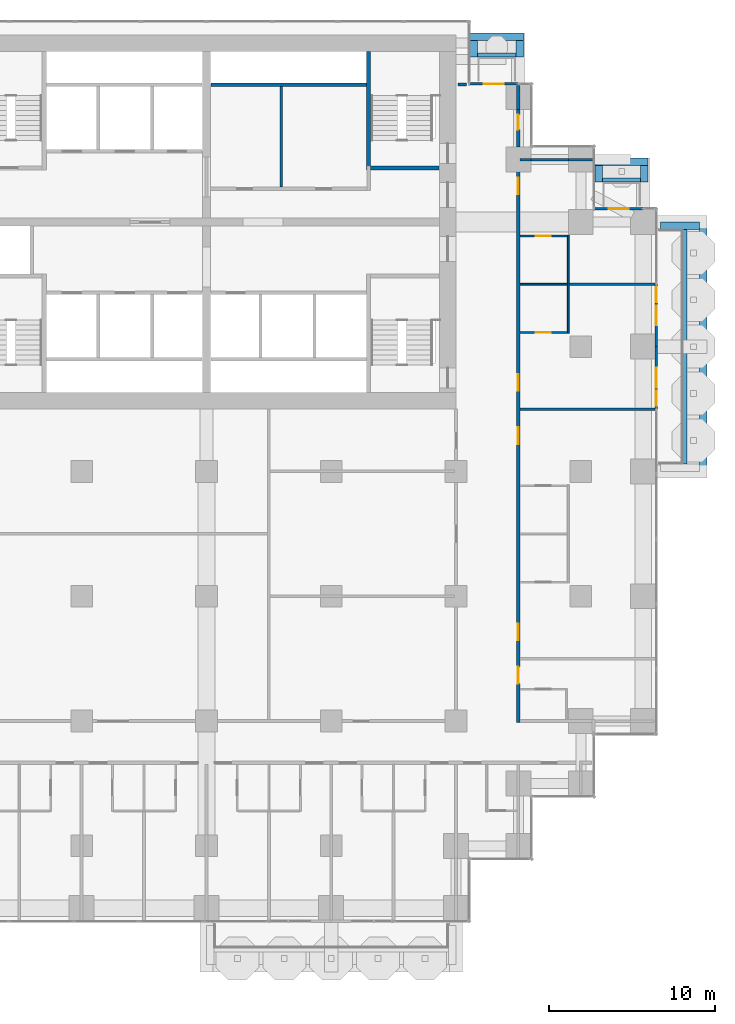
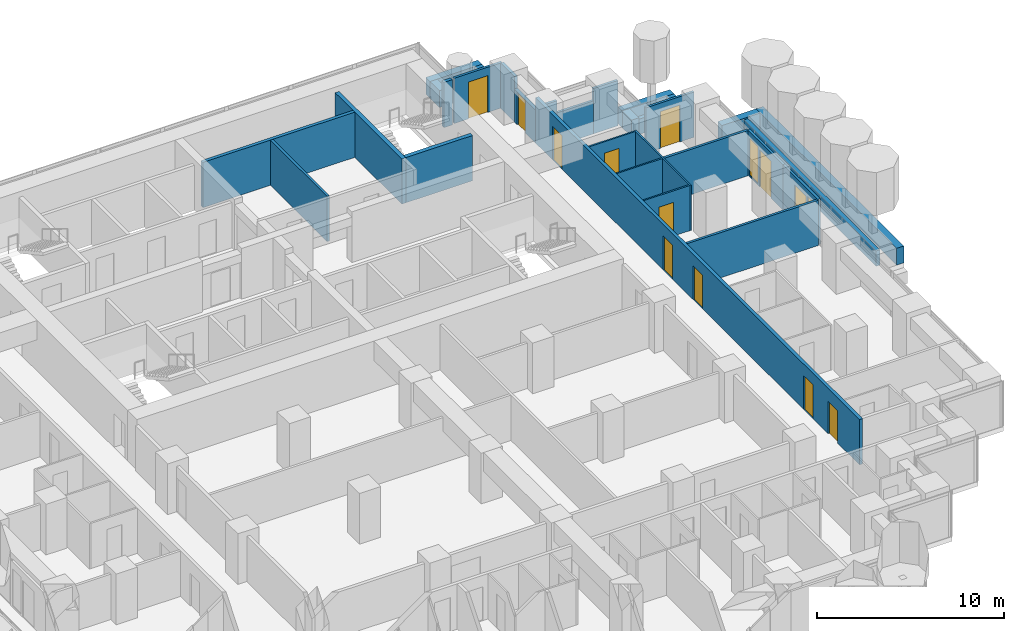
# One storey, part 16 of 20: 32 walls, 12 doors, 2 windows, 14 openings.
"""IFC4 building model written with IfcOpenShell, lengths in metres."""

from ifc_helpers import new_model, si_unit, direction, frame, frame_2d, origin, place, context, subcontext, project, spatial, rectangle, extrude, material, layer, layer_set, type_object, element, fill, save


model = new_model("IFC4")

# Units and contexts
model_context = context("Model", 3, precision=1e-05, world=origin(), true_north=direction((0.0, 1.0)))
body_context = subcontext(model_context, "Body", "Model", "MODEL_VIEW")
ifc_project = project(units=[si_unit("LENGTHUNIT", "METRE"), si_unit("AREAUNIT", "SQUARE_METRE"), si_unit("VOLUMEUNIT", "CUBIC_METRE"), si_unit("PLANEANGLEUNIT", "RADIAN"), si_unit("MASSUNIT", "GRAM", prefix="KILO")], contexts=[model_context])

# Site, building, storey
site_placement = place(None, origin())
site = spatial("IfcSite", under=ifc_project, at=site_placement, CompositionType="ELEMENT")
building_placement = place(site_placement, origin())
building = spatial("IfcBuilding", under=site, at=building_placement, Name="Pilkhan Gate Tower", CompositionType="ELEMENT")
storey_placement = place(building_placement, frame((0.0, 0.0, 98.89990234375)))
storey = spatial("IfcBuildingStorey", under=building, at=storey_placement, Name="L24", CompositionType="ELEMENT", Elevation=98.89990234375)

# Walls
ifc_material_1 = material(Name="Concrete C40/50", Category="concrete")
ifc_layer_1 = layer(ifc_material_1, 0.25)
ifc_layer_set_1 = layer_set([ifc_layer_1], Name="Balcony planter BP250")
wall_type_1 = type_object("IfcWallType", Name="Balcony planter BP250", PredefinedType="USERDEFINED", material=ifc_layer_set_1)
wall_1_placement = place(storey_placement, frame((103.77490234375, 67.949951171875, 0.0), z_axis=(0.0, 0.0, 1.0), x_axis=(0.0, 1.0, 0.0)))
element("IfcWall", 1, at=wall_1_placement, inside=storey, type_object=wall_type_1, Name="Balcony planter L24 E", ObjectType="BALCONY PLANTER", PredefinedType="USERDEFINED", context=body_context, shape_type="SweptSolid", body=[
    extrude(rectangle(XDim=14.10009765625, YDim=0.25, at=frame_2d((7.050048828125, 0.0))), origin(), (0.0, 0.0, 1.0), 1.0),
])
wall_2_placement = place(storey_placement, frame((91.300048828125, 92.52490234375, 0.0), z_axis=(0.0, 0.0, 1.0), x_axis=(1.0, 0.0, 0.0)))
element("IfcWall", 2, at=wall_2_placement, inside=storey, type_object=wall_type_1, Name="Balcony planter L24 N", ObjectType="BALCONY PLANTER", PredefinedType="USERDEFINED", context=body_context, shape_type="SweptSolid", body=[
    extrude(rectangle(XDim=2.300048828125, YDim=0.25, at=frame_2d((1.14990234375, 0.0))), origin(), (0.0, 0.0, 1.0), 1.0),
])
wall_3_placement = place(storey_placement, frame((98.820068359375, 85.02490234375, 0.0), z_axis=(0.0, 0.0, 1.0), x_axis=(1.0, 0.0, 0.0)))
element("IfcWall", 3, at=wall_3_placement, inside=storey, type_object=wall_type_1, Name="Balcony planter L24 N", ObjectType="BALCONY PLANTER", PredefinedType="USERDEFINED", context=body_context, shape_type="SweptSolid", body=[
    extrude(rectangle(XDim=2.280029296875, YDim=0.25, at=frame_2d((1.14013671875, 0.0))), origin(), (0.0, 0.0, 1.0), 1.0),
])
ifc_material_2 = material(Name="Board-marked Concrete C40/50", Category="concrete")
ifc_layer_2 = layer(ifc_material_2, 0.449951171875)
ifc_layer_set_2 = layer_set([ifc_layer_2], Name="Balcony planter lip BL450")
wall_type_2 = type_object("IfcWallType", Name="Balcony planter lip BL450", PredefinedType="USERDEFINED", material=ifc_layer_set_2)
wall_4_placement = place(storey_placement, frame((104.875, 67.5, 0.0), z_axis=(0.0, 0.0, 1.0), x_axis=(0.0, 1.0, 0.0)))
element("IfcWall", 4, at=wall_4_placement, inside=storey, type_object=wall_type_2, Name="Balcony planter L24 E", ObjectType="BALCONY PLANTER", PredefinedType="USERDEFINED", context=body_context, shape_type="SweptSolid", body=[
    extrude(rectangle(XDim=15.0, YDim=0.449951171875, at=frame_2d((7.5, 0.0))), origin(), (0.0, 0.0, 1.0), 1.10009765625),
])
wall_5_placement = place(storey_placement, frame((102.300048828125, 82.27490234375, 0.0), z_axis=(0.0, 0.0, 1.0), x_axis=(1.0, 0.0, 0.0)))
element("IfcWall", 5, at=wall_5_placement, inside=storey, type_object=wall_type_2, Name="Balcony planter L24 E", ObjectType="BALCONY PLANTER", PredefinedType="USERDEFINED", context=body_context, shape_type="SweptSolid", body=[
    extrude(rectangle(XDim=2.349853515625, YDim=0.449951171875, at=frame_2d((1.1748046875, 0.0))), origin(), (0.0, 0.0, 1.0), 1.10009765625),
])
wall_6_placement = place(storey_placement, frame((90.85009765625, 93.625, 0.0), z_axis=(0.0, 0.0, 1.0), x_axis=(1.0, 0.0, 0.0)))
element("IfcWall", 6, at=wall_6_placement, inside=storey, type_object=wall_type_2, Name="Balcony planter L24 N", ObjectType="BALCONY PLANTER", PredefinedType="USERDEFINED", context=body_context, shape_type="SweptSolid", body=[
    extrude(rectangle(XDim=3.199951171875, YDim=0.449951171875, at=frame_2d((1.60009765625, 0.0))), origin(), (0.0, 0.0, 1.0), 1.10009765625),
])
for number, where, z_axis, x_axis, name in (
    (7, (91.074951171875, 92.39990234375, 0.0), (0.0, 0.0, 1.0), (0.0, 1.0, 0.0), "Balcony planter L24 N"),
    (8, (93.824951171875, 92.39990234375, 0.0), (0.0, 0.0, 1.0), (0.0, 1.0, 0.0), "Balcony planter L24 N"),
):
    element("IfcWall", number, at=place(storey_placement, frame(where, z_axis=z_axis, x_axis=x_axis)), inside=storey, type_object=wall_type_2, Name=name, ObjectType="BALCONY PLANTER", PredefinedType="USERDEFINED", context=body_context, shape_type="SweptSolid", body=[
        extrude(rectangle(XDim=1.0, YDim=0.449951171875, at=frame_2d((0.5, 0.0))), origin(), (0.0, 0.0, 1.0), 1.10009765625),
    ])
wall_7_placement = place(storey_placement, frame((98.3701171875, 86.125, 0.0), z_axis=(0.0, 0.0, 1.0), x_axis=(1.0, 0.0, 0.0)))
element("IfcWall", 9, at=wall_7_placement, inside=storey, type_object=wall_type_2, Name="Balcony planter L24 N", ObjectType="BALCONY PLANTER", PredefinedType="USERDEFINED", context=body_context, shape_type="SweptSolid", body=[
    extrude(rectangle(XDim=3.179931640625, YDim=0.449951171875, at=frame_2d((1.58984375, 0.0))), origin(), (0.0, 0.0, 1.0), 1.10009765625),
])
for number, where, z_axis, x_axis, name in (
    (10, (98.594970703125, 84.89990234375, 0.0), (0.0, 0.0, 1.0), (0.0, 1.0, 0.0), "Balcony planter L24 N"),
    (11, (101.324951171875, 84.89990234375, 0.0), (0.0, 0.0, 1.0), (0.0, 1.0, 0.0), "Balcony planter L24 N"),
):
    element("IfcWall", number, at=place(storey_placement, frame(where, z_axis=z_axis, x_axis=x_axis)), inside=storey, type_object=wall_type_2, Name=name, ObjectType="BALCONY PLANTER", PredefinedType="USERDEFINED", context=body_context, shape_type="SweptSolid", body=[
        extrude(rectangle(XDim=1.0, YDim=0.449951171875, at=frame_2d((0.5, 0.0))), origin(), (0.0, 0.0, 1.0), 1.10009765625),
    ])
ifc_material_3 = material(Name="Dense blockwork", Category="masonry")
ifc_layer_3 = layer(ifc_material_3, 0.199951171875)
ifc_layer_set_3 = layer_set([ifc_layer_3], Name="Corridor wall FW200")
wall_type_3 = type_object("IfcWallType", Name="Corridor wall FW200", PredefinedType="PARTITIONING", material=ifc_layer_set_3)
wall_8_placement = place(storey_placement, frame((90.1201171875, 90.764892578125, 0.0), z_axis=(0.0, 0.0, 1.0), x_axis=(1.0, 0.0, 0.0)))
element("IfcWall", 12, at=wall_8_placement, inside=storey, type_object=wall_type_3, Name="Partition L24", PredefinedType="PARTITIONING", context=body_context, shape_type="SweptSolid", body=[
    extrude(rectangle(XDim=0.52490234375, YDim=0.199951171875, at=frame_2d((0.262451171875, 0.0))), origin(), (0.0, 0.0, 1.0), 2.9501953125),
])

# Wall, openings, doors
wall_9_placement = place(storey_placement, frame((93.75, 52.39990234375, 0.0), z_axis=(0.0, 0.0, 1.0), x_axis=(0.0, 1.0, 0.0)))
wall_9 = element("IfcWall", 13, at=wall_9_placement, inside=storey, type_object=wall_type_3, Name="Partition L24", PredefinedType="PARTITIONING", context=body_context, shape_type="SweptSolid", body=[
    extrude(rectangle(XDim=34.60009765625, YDim=0.199951171875, at=frame_2d((17.300048828125, 0.0))), origin(), (0.0, 0.0, 1.0), 2.9501953125),
])
opening_1_placement = place(wall_9_placement, frame((2.35009765625, 0.0, 0.0)))
opening_1 = element("IfcOpeningElement", 14, at=opening_1_placement, cuts=wall_9, Name="Opening L24-36", PredefinedType="OPENING", context=body_context, shape_type="SweptSolid", body=[
    extrude(rectangle(XDim=1.0, YDim=2.10009765625, at=frame_2d((0.5, 1.050048828125))), frame((0.0, 0.10986328125, 0.0), z_axis=(0.0, -1.0, 0.0), x_axis=(1.0, 0.0, 0.0)), (0.0, 0.0, 1.0), 0.219970703125),
])
opening_2_placement = place(wall_9_placement, frame((4.949951171875, 0.0, 0.0)))
opening_2 = element("IfcOpeningElement", 15, at=opening_2_placement, cuts=wall_9, Name="Opening L24-38", PredefinedType="OPENING", context=body_context, shape_type="SweptSolid", body=[
    extrude(rectangle(XDim=1.0, YDim=2.199951171875, at=frame_2d((0.5, 1.10009765625))), frame((0.0, 0.10986328125, 0.0), z_axis=(0.0, -1.0, 0.0), x_axis=(1.0, 0.0, 0.0)), (0.0, 0.0, 1.0), 0.219970703125),
])
opening_3_placement = place(wall_9_placement, frame((16.75, 0.0, 0.0)))
opening_3 = element("IfcOpeningElement", 16, at=opening_3_placement, cuts=wall_9, Name="Opening L24-40", PredefinedType="OPENING", context=body_context, shape_type="SweptSolid", body=[
    extrude(rectangle(XDim=1.0, YDim=2.199951171875, at=frame_2d((0.5, 1.10009765625))), frame((0.0, 0.10986328125, 0.0), z_axis=(0.0, -1.0, 0.0), x_axis=(1.0, 0.0, 0.0)), (0.0, 0.0, 1.0), 0.219970703125),
])
opening_4_placement = place(wall_9_placement, frame((19.949951171875, 0.0, 0.0)))
opening_4 = element("IfcOpeningElement", 17, at=opening_4_placement, cuts=wall_9, Name="Opening L24-42", PredefinedType="OPENING", context=body_context, shape_type="SweptSolid", body=[
    extrude(rectangle(XDim=1.0, YDim=2.199951171875, at=frame_2d((0.5, 1.10009765625))), frame((0.0, 0.10986328125, 0.0), z_axis=(0.0, -1.0, 0.0), x_axis=(1.0, 0.0, 0.0)), (0.0, 0.0, 1.0), 0.219970703125),
])
opening_5_placement = place(wall_9_placement, frame((31.75, 0.0, 0.0)))
opening_5 = element("IfcOpeningElement", 18, at=opening_5_placement, cuts=wall_9, Name="Opening L24-44", PredefinedType="OPENING", context=body_context, shape_type="SweptSolid", body=[
    extrude(rectangle(XDim=1.0, YDim=2.199951171875, at=frame_2d((0.5, 1.10009765625))), frame((0.0, 0.10986328125, 0.0), z_axis=(0.0, -1.0, 0.0), x_axis=(1.0, 0.0, 0.0)), (0.0, 0.0, 1.0), 0.219970703125),
])
ifc_material_4 = material(Name="Timber flush door, 30 minute fire resisting", Category="wood")
door_type_1 = type_object("IfcDoorType", Name="Guest room door D01 1000x2200", OperationType="SINGLE_SWING_LEFT", PredefinedType="DOOR", material=ifc_material_4)
door_1_placement = place(opening_2_placement, origin())
door_1 = element("IfcDoor", 19, at=door_1_placement, inside=storey, type_object=door_type_1, Name="Guest room door", OperationType="SINGLE_SWING_LEFT", OverallHeight=2.199951171875, OverallWidth=1.0, PredefinedType="DOOR", context=body_context, shape_type="SweptSolid", body=[
    extrude(rectangle(XDim=1.0, YDim=2.199951171875, at=frame_2d((0.5, 1.10009765625))), frame((0.0, 0.02490234375, 0.0), z_axis=(0.0, -1.0, 0.0), x_axis=(1.0, 0.0, 0.0)), (0.0, 0.0, 1.0), 0.050048828125),
])
fill(opening_2, door_1)
door_2_placement = place(opening_3_placement, origin())
door_2 = element("IfcDoor", 20, at=door_2_placement, inside=storey, type_object=door_type_1, Name="Guest room door", OperationType="SINGLE_SWING_RIGHT", OverallHeight=2.199951171875, OverallWidth=1.0, PredefinedType="DOOR", context=body_context, shape_type="SweptSolid", body=[
    extrude(rectangle(XDim=1.0, YDim=2.199951171875, at=frame_2d((0.5, 1.10009765625))), frame((0.0, 0.02490234375, 0.0), z_axis=(0.0, -1.0, 0.0), x_axis=(1.0, 0.0, 0.0)), (0.0, 0.0, 1.0), 0.050048828125),
])
fill(opening_3, door_2)
door_3_placement = place(opening_4_placement, origin())
door_3 = element("IfcDoor", 21, at=door_3_placement, inside=storey, type_object=door_type_1, Name="Guest room door", OperationType="SINGLE_SWING_RIGHT", OverallHeight=2.199951171875, OverallWidth=1.0, PredefinedType="DOOR", context=body_context, shape_type="SweptSolid", body=[
    extrude(rectangle(XDim=1.0, YDim=2.199951171875, at=frame_2d((0.5, 1.10009765625))), frame((0.0, 0.02490234375, 0.0), z_axis=(0.0, -1.0, 0.0), x_axis=(1.0, 0.0, 0.0)), (0.0, 0.0, 1.0), 0.050048828125),
])
fill(opening_4, door_3)
door_4_placement = place(opening_5_placement, origin())
door_4 = element("IfcDoor", 22, at=door_4_placement, inside=storey, type_object=door_type_1, Name="Guest room door", OperationType="SINGLE_SWING_RIGHT", OverallHeight=2.199951171875, OverallWidth=1.0, PredefinedType="DOOR", context=body_context, shape_type="SweptSolid", body=[
    extrude(rectangle(XDim=1.0, YDim=2.199951171875, at=frame_2d((0.5, 1.10009765625))), frame((0.0, 0.02490234375, 0.0), z_axis=(0.0, -1.0, 0.0), x_axis=(1.0, 0.0, 0.0)), (0.0, 0.0, 1.0), 0.050048828125),
])
fill(opening_5, door_4)
door_type_2 = type_object("IfcDoorType", Name="Guest room door D01A 1000x2100", OperationType="SINGLE_SWING_LEFT", PredefinedType="DOOR", material=ifc_material_4)
door_5_placement = place(opening_1_placement, origin())
door_5 = element("IfcDoor", 23, at=door_5_placement, inside=storey, type_object=door_type_2, Name="Guest room door", OperationType="SINGLE_SWING_LEFT", OverallHeight=2.10009765625, OverallWidth=1.0, PredefinedType="DOOR", context=body_context, shape_type="SweptSolid", body=[
    extrude(rectangle(XDim=1.0, YDim=2.10009765625, at=frame_2d((0.5, 1.050048828125))), frame((0.0, 0.02490234375, 0.0), z_axis=(0.0, -1.0, 0.0), x_axis=(1.0, 0.0, 0.0)), (0.0, 0.0, 1.0), 0.050048828125),
])
fill(opening_1, door_5)

# Wall, opening, door
wall_10_placement = place(storey_placement, frame((93.75, 87.0, 0.0), z_axis=(0.0, 0.0, 1.0), x_axis=(0.0, 1.0, 0.0)))
wall_10 = element("IfcWall", 24, at=wall_10_placement, inside=storey, type_object=wall_type_3, Name="Partition L24", PredefinedType="PARTITIONING", context=body_context, shape_type="SweptSolid", body=[
    extrude(rectangle(XDim=2.25, YDim=0.199951171875, at=frame_2d((1.125, 0.0))), origin(), (0.0, 0.0, 1.0), 2.150146484375),
])
opening_6_placement = place(wall_10_placement, frame((1.050048828125, 0.0, 0.0)))
opening_6 = element("IfcOpeningElement", 25, at=opening_6_placement, cuts=wall_10, Name="Opening L24-53", PredefinedType="OPENING", context=body_context, shape_type="SweptSolid", body=[
    extrude(rectangle(XDim=0.89990234375, YDim=2.10009765625, at=frame_2d((0.449951171875, 1.050048828125))), frame((0.0, 0.10986328125, 0.0), z_axis=(0.0, -1.0, 0.0), x_axis=(1.0, 0.0, 0.0)), (0.0, 0.0, 1.0), 0.219970703125),
])
ifc_material_5 = material(Name="Timber flush door, 60 minute fire resisting, self-closing", Category="wood")
door_type_3 = type_object("IfcDoorType", Name="Store door D05A 900x2100", OperationType="SINGLE_SWING_LEFT", PredefinedType="DOOR", material=ifc_material_5)
door_6_placement = place(opening_6_placement, origin())
door_6 = element("IfcDoor", 26, at=door_6_placement, inside=storey, type_object=door_type_3, Name="Store door", OperationType="SINGLE_SWING_RIGHT", OverallHeight=2.10009765625, OverallWidth=0.89990234375, PredefinedType="DOOR", context=body_context, shape_type="SweptSolid", body=[
    extrude(rectangle(XDim=0.89990234375, YDim=2.10009765625, at=frame_2d((0.449951171875, 1.050048828125))), frame((0.0, 0.02490234375, 0.0), z_axis=(0.0, -1.0, 0.0), x_axis=(1.0, 0.0, 0.0)), (0.0, 0.0, 1.0), 0.050048828125),
])
fill(opening_6, door_6)

# Wall
wall_11_placement = place(storey_placement, frame((93.75, 89.25, 0.0), z_axis=(0.0, 0.0, 1.0), x_axis=(0.0, 1.0, 0.0)))
element("IfcWall", 27, at=wall_11_placement, inside=storey, type_object=wall_type_3, Name="Partition L24", PredefinedType="PARTITIONING", context=body_context, shape_type="SweptSolid", body=[
    extrude(rectangle(XDim=1.4599609375, YDim=0.199951171875, at=frame_2d((0.72998046875, 0.0))), origin(), (0.0, 0.0, 1.0), 2.9501953125),
])

# Wall, openings, door, window
ifc_material_6 = material(Name="Pale anodised aluminium, clear laminated glazing", Category="aluminium")
ifc_layer_4 = layer(ifc_material_6, 0.14990234375)
ifc_layer_set_4 = layer_set([ifc_layer_4], Name="Facade infill wall IW150")
wall_type_4 = type_object("IfcWallType", Name="Facade infill wall IW150", PredefinedType="SOLIDWALL", material=ifc_layer_set_4)
wall_12_placement = place(storey_placement, frame((102.044921875, 71.25, 0.0), z_axis=(0.0, 0.0, 1.0), x_axis=(0.0, 1.0, 0.0)))
wall_12 = element("IfcWall", 28, at=wall_12_placement, inside=storey, type_object=wall_type_4, Name="Infill wall L24 E", PredefinedType="SOLIDWALL", context=body_context, shape_type="SweptSolid", body=[
    extrude(rectangle(XDim=3.75, YDim=0.14990234375, at=frame_2d((1.875, 0.0))), origin(), (0.0, 0.0, 1.0), 2.9501953125),
])
opening_7_placement = place(wall_12_placement, frame((0.1875, 0.0, 0.10009765625)))
opening_7 = element("IfcOpeningElement", 29, at=opening_7_placement, cuts=wall_12, Name="Opening W1", PredefinedType="OPENING", context=body_context, shape_type="SweptSolid", body=[
    extrude(rectangle(XDim=0.89990234375, YDim=2.39990234375, at=frame_2d((0.449951171875, 1.199951171875))), frame((0.0, 0.0849609375, 0.0), z_axis=(0.0, -1.0, 0.0), x_axis=(1.0, 0.0, 0.0)), (0.0, 0.0, 1.0), 0.169921875),
])
opening_8_placement = place(wall_12_placement, frame((1.27490234375, 0.0, 0.0)))
opening_8 = element("IfcOpeningElement", 30, at=opening_8_placement, cuts=wall_12, Name="Opening D1", PredefinedType="OPENING", context=body_context, shape_type="SweptSolid", body=[
    extrude(rectangle(XDim=1.199951171875, YDim=2.39990234375, at=frame_2d((0.60009765625, 1.199951171875))), frame((0.0, 0.0849609375, 0.0), z_axis=(0.0, -1.0, 0.0), x_axis=(1.0, 0.0, 0.0)), (0.0, 0.0, 1.0), 0.169921875),
])
ifc_material_7 = material(Name="Pale anodised aluminium, clear glazing", Category="aluminium")
door_type_4 = type_object("IfcDoorType", Name="Balcony door D1 1200x2400", OperationType="SINGLE_SWING_LEFT", PredefinedType="DOOR", material=ifc_material_7)
door_7_placement = place(opening_8_placement, origin())
door_7 = element("IfcDoor", 31, at=door_7_placement, inside=storey, type_object=door_type_4, Name="Balcony door L24", OperationType="SINGLE_SWING_LEFT", OverallHeight=2.39990234375, OverallWidth=1.199951171875, PredefinedType="DOOR", context=body_context, shape_type="SweptSolid", body=[
    extrude(rectangle(XDim=1.199951171875, YDim=2.39990234375, at=frame_2d((0.60009765625, 1.199951171875))), frame((0.0, 0.02490234375, 0.0), z_axis=(0.0, -1.0, 0.0), x_axis=(1.0, 0.0, 0.0)), (0.0, 0.0, 1.0), 0.050048828125),
])
fill(opening_8, door_7)
ifc_material_8 = material(Name="Pale anodised aluminium, clear double glazing", Category="aluminium")
window_type = type_object("IfcWindowType", Name="Window W1 900x2400", PartitioningType="SINGLE_PANEL", PredefinedType="WINDOW", material=ifc_material_8)
window_1_placement = place(opening_7_placement, origin())
window_1 = element("IfcWindow", 32, at=window_1_placement, inside=storey, type_object=window_type, Name="Window L24", OverallHeight=2.39990234375, OverallWidth=0.89990234375, PartitioningType="SINGLE_PANEL", PredefinedType="WINDOW", context=body_context, shape_type="SweptSolid", body=[
    extrude(rectangle(XDim=0.89990234375, YDim=2.39990234375, at=frame_2d((0.449951171875, 1.199951171875))), frame((0.0, 0.030029296875, 0.0), z_axis=(0.0, -1.0, 0.0), x_axis=(1.0, 0.0, 0.0)), (0.0, 0.0, 1.0), 0.06005859375),
])
fill(opening_7, window_1)

wall_13_placement = place(storey_placement, frame((102.044921875, 75.0, 0.0), z_axis=(0.0, 0.0, 1.0), x_axis=(0.0, 1.0, 0.0)))
wall_13 = element("IfcWall", 33, at=wall_13_placement, inside=storey, type_object=wall_type_4, Name="Infill wall L24 E", PredefinedType="SOLIDWALL", context=body_context, shape_type="SweptSolid", body=[
    extrude(rectangle(XDim=3.75, YDim=0.14990234375, at=frame_2d((1.875, 0.0))), origin(), (0.0, 0.0, 1.0), 2.9501953125),
])
opening_9_placement = place(wall_13_placement, frame((1.27490234375, 0.0, 0.0)))
opening_9 = element("IfcOpeningElement", 34, at=opening_9_placement, cuts=wall_13, Name="Opening D1", PredefinedType="OPENING", context=body_context, shape_type="SweptSolid", body=[
    extrude(rectangle(XDim=1.199951171875, YDim=2.39990234375, at=frame_2d((0.60009765625, 1.199951171875))), frame((0.0, 0.0849609375, 0.0), z_axis=(0.0, -1.0, 0.0), x_axis=(1.0, 0.0, 0.0)), (0.0, 0.0, 1.0), 0.169921875),
])
opening_10_placement = place(wall_13_placement, frame((2.66259765625, 0.0, 0.10009765625)))
opening_10 = element("IfcOpeningElement", 35, at=opening_10_placement, cuts=wall_13, Name="Opening W1", PredefinedType="OPENING", context=body_context, shape_type="SweptSolid", body=[
    extrude(rectangle(XDim=0.89990234375, YDim=2.39990234375, at=frame_2d((0.449951171875, 1.199951171875))), frame((0.0, 0.0849609375, 0.0), z_axis=(0.0, -1.0, 0.0), x_axis=(1.0, 0.0, 0.0)), (0.0, 0.0, 1.0), 0.169921875),
])
door_8_placement = place(opening_9_placement, origin())
door_8 = element("IfcDoor", 36, at=door_8_placement, inside=storey, type_object=door_type_4, Name="Balcony door L24", OperationType="SINGLE_SWING_LEFT", OverallHeight=2.39990234375, OverallWidth=1.199951171875, PredefinedType="DOOR", context=body_context, shape_type="SweptSolid", body=[
    extrude(rectangle(XDim=1.199951171875, YDim=2.39990234375, at=frame_2d((0.60009765625, 1.199951171875))), frame((0.0, 0.02490234375, 0.0), z_axis=(0.0, -1.0, 0.0), x_axis=(1.0, 0.0, 0.0)), (0.0, 0.0, 1.0), 0.050048828125),
])
fill(opening_9, door_8)
window_2_placement = place(opening_10_placement, origin())
window_2 = element("IfcWindow", 37, at=window_2_placement, inside=storey, type_object=window_type, Name="Window L24", OverallHeight=2.39990234375, OverallWidth=0.89990234375, PartitioningType="SINGLE_PANEL", PredefinedType="WINDOW", context=body_context, shape_type="SweptSolid", body=[
    extrude(rectangle(XDim=0.89990234375, YDim=2.39990234375, at=frame_2d((0.449951171875, 1.199951171875))), frame((0.0, 0.030029296875, 0.0), z_axis=(0.0, -1.0, 0.0), x_axis=(1.0, 0.0, 0.0)), (0.0, 0.0, 1.0), 0.06005859375),
])
fill(opening_10, window_2)

# Wall, opening, door
wall_14_placement = place(storey_placement, frame((98.294921875, 83.294921875, 0.0), z_axis=(0.0, 0.0, 1.0), x_axis=(1.0, 0.0, 0.0)))
wall_14 = element("IfcWall", 38, at=wall_14_placement, inside=storey, type_object=wall_type_4, Name="Infill wall L24 N", PredefinedType="SOLIDWALL", context=body_context, shape_type="SweptSolid", body=[
    extrude(rectangle(XDim=2.955078125, YDim=0.14990234375, at=frame_2d((1.4775390625, 0.0))), origin(), (0.0, 0.0, 1.0), 2.9501953125),
])
opening_11_placement = place(wall_14_placement, frame((0.87744140625, 0.0, 0.0)))
opening_11 = element("IfcOpeningElement", 39, at=opening_11_placement, cuts=wall_14, Name="Opening D1", PredefinedType="OPENING", context=body_context, shape_type="SweptSolid", body=[
    extrude(rectangle(XDim=1.199951171875, YDim=2.39990234375, at=frame_2d((0.60009765625, 1.199951171875))), frame((0.0, 0.0849609375, 0.0), z_axis=(0.0, -1.0, 0.0), x_axis=(1.0, 0.0, 0.0)), (0.0, 0.0, 1.0), 0.169921875),
])
door_9_placement = place(opening_11_placement, origin())
door_9 = element("IfcDoor", 40, at=door_9_placement, inside=storey, type_object=door_type_4, Name="Balcony door L24", OperationType="SINGLE_SWING_LEFT", OverallHeight=2.39990234375, OverallWidth=1.199951171875, PredefinedType="DOOR", context=body_context, shape_type="SweptSolid", body=[
    extrude(rectangle(XDim=1.199951171875, YDim=2.39990234375, at=frame_2d((0.60009765625, 1.199951171875))), frame((0.0, 0.02490234375, 0.0), z_axis=(0.0, -1.0, 0.0), x_axis=(1.0, 0.0, 0.0)), (0.0, 0.0, 1.0), 0.050048828125),
])
fill(opening_11, door_9)

wall_15_placement = place(storey_placement, frame((90.794921875, 90.794921875, 0.0), z_axis=(0.0, 0.0, 1.0), x_axis=(1.0, 0.0, 0.0)))
wall_15 = element("IfcWall", 41, at=wall_15_placement, inside=storey, type_object=wall_type_4, Name="Infill wall L24 N", PredefinedType="SOLIDWALL", context=body_context, shape_type="SweptSolid", body=[
    extrude(rectangle(XDim=2.955078125, YDim=0.14990234375, at=frame_2d((1.4775390625, 0.0))), origin(), (0.0, 0.0, 1.0), 2.9501953125),
])
opening_12_placement = place(wall_15_placement, frame((0.87744140625, 0.0, 0.0)))
opening_12 = element("IfcOpeningElement", 42, at=opening_12_placement, cuts=wall_15, Name="Opening D1", PredefinedType="OPENING", context=body_context, shape_type="SweptSolid", body=[
    extrude(rectangle(XDim=1.199951171875, YDim=2.39990234375, at=frame_2d((0.60009765625, 1.199951171875))), frame((0.0, 0.0849609375, 0.0), z_axis=(0.0, -1.0, 0.0), x_axis=(1.0, 0.0, 0.0)), (0.0, 0.0, 1.0), 0.169921875),
])
door_10_placement = place(opening_12_placement, origin())
door_10 = element("IfcDoor", 43, at=door_10_placement, inside=storey, type_object=door_type_4, Name="Balcony door L24", OperationType="SINGLE_SWING_LEFT", OverallHeight=2.39990234375, OverallWidth=1.199951171875, PredefinedType="DOOR", context=body_context, shape_type="SweptSolid", body=[
    extrude(rectangle(XDim=1.199951171875, YDim=2.39990234375, at=frame_2d((0.60009765625, 1.199951171875))), frame((0.0, 0.02490234375, 0.0), z_axis=(0.0, -1.0, 0.0), x_axis=(1.0, 0.0, 0.0)), (0.0, 0.0, 1.0), 0.050048828125),
])
fill(opening_12, door_10)

# Walls
ifc_layer_5 = layer(ifc_material_3, 0.199951171875)
ifc_layer_set_5 = layer_set([ifc_layer_5], Name="Lobby wall LW200")
wall_type_5 = type_object("IfcWallType", Name="Lobby wall LW200", PredefinedType="PARTITIONING", material=ifc_layer_set_5)
wall_16_placement = place(storey_placement, frame((75.260009765625, 90.75, 0.0), z_axis=(0.0, 0.0, 1.0), x_axis=(1.0, 0.0, 0.0)))
element("IfcWall", 44, at=wall_16_placement, inside=storey, type_object=wall_type_5, Name="Partition L24", PredefinedType="PARTITIONING", context=body_context, shape_type="SweptSolid", body=[
    extrude(rectangle(XDim=9.364990234375, YDim=0.199951171875, at=frame_2d((4.6826171875, 0.0))), origin(), (0.0, 0.0, 1.0), 2.9501953125),
])
ifc_material_9 = material(Name="Blockwork partition, plastered both sides", Category="masonry")
ifc_layer_6 = layer(ifc_material_9, 0.14990234375)
ifc_layer_set_6 = layer_set([ifc_layer_6], Name="Partition PW150")
wall_type_6 = type_object("IfcWallType", Name="Partition PW150", PredefinedType="PARTITIONING", material=ifc_layer_set_6)
wall_17_placement = place(storey_placement, frame((93.85009765625, 71.25, 0.0), z_axis=(0.0, 0.0, 1.0), x_axis=(1.0, 0.0, 0.0)))
element("IfcWall", 45, at=wall_17_placement, inside=storey, type_object=wall_type_6, Name="Partition L24", PredefinedType="PARTITIONING", context=body_context, shape_type="SweptSolid", body=[
    extrude(rectangle(XDim=8.10986328125, YDim=0.14990234375, at=frame_2d((4.054931640625, 0.0))), origin(), (0.0, 0.0, 1.0), 2.9501953125),
])
wall_18_placement = place(storey_placement, frame((96.800048828125, 78.75, 0.0), z_axis=(0.0, 0.0, 1.0), x_axis=(1.0, 0.0, 0.0)))
element("IfcWall", 46, at=wall_18_placement, inside=storey, type_object=wall_type_6, Name="Partition L24", PredefinedType="PARTITIONING", context=body_context, shape_type="SweptSolid", body=[
    extrude(rectangle(XDim=5.159912109375, YDim=0.14990234375, at=frame_2d((2.580078125, 0.0))), origin(), (0.0, 0.0, 1.0), 2.9501953125),
])
wall_19_placement = place(storey_placement, frame((93.85009765625, 86.25, 0.0), z_axis=(0.0, 0.0, 1.0), x_axis=(1.0, 0.0, 0.0)))
element("IfcWall", 47, at=wall_19_placement, inside=storey, type_object=wall_type_6, Name="Partition L24", PredefinedType="PARTITIONING", context=body_context, shape_type="SweptSolid", body=[
    extrude(rectangle(XDim=0.64990234375, YDim=0.14990234375, at=frame_2d((0.324951171875, 0.0))), origin(), (0.0, 0.0, 1.0), 2.9501953125),
])
wall_20_placement = place(storey_placement, frame((94.5, 86.25, 0.0), z_axis=(0.0, 0.0, 1.0), x_axis=(1.0, 0.0, 0.0)))
element("IfcWall", 48, at=wall_20_placement, inside=storey, type_object=wall_type_6, Name="Partition L24", PredefinedType="PARTITIONING", context=body_context, shape_type="SweptSolid", body=[
    extrude(rectangle(XDim=2.2509765625, YDim=0.14990234375, at=frame_2d((1.12548828125, 0.0))), origin(), (0.0, 0.0, 1.0), 2.150146484375),
])
wall_21_placement = place(storey_placement, frame((96.7509765625, 86.25, 0.0), z_axis=(0.0, 0.0, 1.0), x_axis=(1.0, 0.0, 0.0)))
element("IfcWall", 49, at=wall_21_placement, inside=storey, type_object=wall_type_6, Name="Partition L24", PredefinedType="PARTITIONING", context=body_context, shape_type="SweptSolid", body=[
    extrude(rectangle(XDim=1.513916015625, YDim=0.14990234375, at=frame_2d((0.7568359375, 0.0))), origin(), (0.0, 0.0, 1.0), 2.9501953125),
])
wall_22_placement = place(storey_placement, frame((79.5, 84.60009765625, 0.0), z_axis=(0.0, 0.0, 1.0), x_axis=(0.0, 1.0, 0.0)))
element("IfcWall", 50, at=wall_22_placement, inside=storey, type_object=wall_type_6, Name="Partition L24", PredefinedType="PARTITIONING", context=body_context, shape_type="SweptSolid", body=[
    extrude(rectangle(XDim=6.0498046875, YDim=0.14990234375, at=frame_2d((3.02490234375, 0.0))), origin(), (0.0, 0.0, 1.0), 2.9501953125),
])
ifc_material_10 = material(Name="Reinforced blockwork, 120 minute fire resisting", Category="masonry")
ifc_layer_7 = layer(ifc_material_10, 0.25)
ifc_layer_set_7 = layer_set([ifc_layer_7], Name="Stair enclosure wall SE250")
wall_type_7 = type_object("IfcWallType", Name="Stair enclosure wall SE250", PredefinedType="PARTITIONING", material=ifc_layer_set_7)
wall_23_placement = place(storey_placement, frame((84.875, 85.75, 0.0), z_axis=(0.0, 0.0, 1.0), x_axis=(1.0, 0.0, 0.0)))
element("IfcWall", 51, at=wall_23_placement, inside=storey, type_object=wall_type_7, Name="Partition L24", PredefinedType="PARTITIONING", context=body_context, shape_type="SweptSolid", body=[
    extrude(rectangle(XDim=4.114990234375, YDim=0.25, at=frame_2d((2.0576171875, 0.0))), origin(), (0.0, 0.0, 1.0), 2.9501953125),
])
wall_24_placement = place(storey_placement, frame((84.75, 85.625, 0.0), z_axis=(0.0, 0.0, 1.0), x_axis=(0.0, 1.0, 0.0)))
element("IfcWall", 52, at=wall_24_placement, inside=storey, type_object=wall_type_7, Name="Partition L24", PredefinedType="PARTITIONING", context=body_context, shape_type="SweptSolid", body=[
    extrude(rectangle(XDim=7.114990234375, YDim=0.25, at=frame_2d((3.5576171875, 0.0))), origin(), (0.0, 0.0, 1.0), 2.9501953125),
])

# Wall, opening, door
ifc_material_11 = material(Name="Moisture resistant board, tiled")
ifc_layer_8 = layer(ifc_material_11, 0.10009765625)
ifc_layer_set_8 = layer_set([ifc_layer_8], Name="Wet wall PW100")
wall_type_8 = type_object("IfcWallType", Name="Wet wall PW100", PredefinedType="PARTITIONING", material=ifc_layer_set_8)
wall_25_placement = place(storey_placement, frame((93.85009765625, 75.85009765625, 0.0), z_axis=(0.0, 0.0, 1.0), x_axis=(1.0, 0.0, 0.0)))
wall_25 = element("IfcWall", 53, at=wall_25_placement, inside=storey, type_object=wall_type_8, Name="Partition L24", PredefinedType="PARTITIONING", context=body_context, shape_type="SweptSolid", body=[
    extrude(rectangle(XDim=2.849853515625, YDim=0.10009765625, at=frame_2d((1.4248046875, 0.0))), origin(), (0.0, 0.0, 1.0), 2.9501953125),
])
opening_13_placement = place(wall_25_placement, frame((0.949951171875, 0.0, 0.0)))
opening_13 = element("IfcOpeningElement", 54, at=opening_13_placement, cuts=wall_25, Name="Opening L24-43", PredefinedType="OPENING", context=body_context, shape_type="SweptSolid", body=[
    extrude(rectangle(XDim=0.89990234375, YDim=2.199951171875, at=frame_2d((0.449951171875, 1.10009765625))), frame((0.0, 0.06005859375, 0.0), z_axis=(0.0, -1.0, 0.0), x_axis=(1.0, 0.0, 0.0)), (0.0, 0.0, 1.0), 0.1201171875),
])
ifc_material_12 = material(Name="Timber flush door", Category="wood")
door_type_5 = type_object("IfcDoorType", Name="Bathroom door D02 900x2200", OperationType="SINGLE_SWING_RIGHT", PredefinedType="DOOR", material=ifc_material_12)
door_11_placement = place(opening_13_placement, origin())
door_11 = element("IfcDoor", 55, at=door_11_placement, inside=storey, type_object=door_type_5, Name="Bathroom door", OperationType="SINGLE_SWING_RIGHT", OverallHeight=2.199951171875, OverallWidth=0.89990234375, PredefinedType="DOOR", context=body_context, shape_type="SweptSolid", body=[
    extrude(rectangle(XDim=0.89990234375, YDim=2.199951171875, at=frame_2d((0.449951171875, 1.10009765625))), frame((0.0, 0.02490234375, 0.0), z_axis=(0.0, -1.0, 0.0), x_axis=(1.0, 0.0, 0.0)), (0.0, 0.0, 1.0), 0.050048828125),
])
fill(opening_13, door_11)

# Wall
wall_26_placement = place(storey_placement, frame((93.85009765625, 78.75, 0.0), z_axis=(0.0, 0.0, 1.0), x_axis=(1.0, 0.0, 0.0)))
element("IfcWall", 56, at=wall_26_placement, inside=storey, type_object=wall_type_8, Name="Partition L24", PredefinedType="PARTITIONING", context=body_context, shape_type="SweptSolid", body=[
    extrude(rectangle(XDim=2.849853515625, YDim=0.10009765625, at=frame_2d((1.4248046875, 0.0))), origin(), (0.0, 0.0, 1.0), 2.9501953125),
])

# Wall, opening, door
wall_27_placement = place(storey_placement, frame((93.85009765625, 81.64990234375, 0.0), z_axis=(0.0, 0.0, 1.0), x_axis=(1.0, 0.0, 0.0)))
wall_27 = element("IfcWall", 57, at=wall_27_placement, inside=storey, type_object=wall_type_8, Name="Partition L24", PredefinedType="PARTITIONING", context=body_context, shape_type="SweptSolid", body=[
    extrude(rectangle(XDim=2.849853515625, YDim=0.10009765625, at=frame_2d((1.4248046875, 0.0))), origin(), (0.0, 0.0, 1.0), 2.9501953125),
])
opening_14_placement = place(wall_27_placement, frame((0.949951171875, 0.0, 0.0)))
opening_14 = element("IfcOpeningElement", 58, at=opening_14_placement, cuts=wall_27, Name="Opening L24-45", PredefinedType="OPENING", context=body_context, shape_type="SweptSolid", body=[
    extrude(rectangle(XDim=0.89990234375, YDim=2.199951171875, at=frame_2d((0.449951171875, 1.10009765625))), frame((0.0, 0.06005859375, 0.0), z_axis=(0.0, -1.0, 0.0), x_axis=(1.0, 0.0, 0.0)), (0.0, 0.0, 1.0), 0.1201171875),
])
door_12_placement = place(opening_14_placement, origin())
door_12 = element("IfcDoor", 59, at=door_12_placement, inside=storey, type_object=door_type_5, Name="Bathroom door", OperationType="SINGLE_SWING_RIGHT", OverallHeight=2.199951171875, OverallWidth=0.89990234375, PredefinedType="DOOR", context=body_context, shape_type="SweptSolid", body=[
    extrude(rectangle(XDim=0.89990234375, YDim=2.199951171875, at=frame_2d((0.449951171875, 1.10009765625))), frame((0.0, 0.02490234375, 0.0), z_axis=(0.0, -1.0, 0.0), x_axis=(1.0, 0.0, 0.0)), (0.0, 0.0, 1.0), 0.050048828125),
])
fill(opening_14, door_12)

# Wall
wall_28_placement = place(storey_placement, frame((96.75, 75.800048828125, 0.0), z_axis=(0.0, 0.0, 1.0), x_axis=(0.0, 1.0, 0.0)))
element("IfcWall", 60, at=wall_28_placement, inside=storey, type_object=wall_type_8, Name="Partition L24", PredefinedType="PARTITIONING", context=body_context, shape_type="SweptSolid", body=[
    extrude(rectangle(XDim=5.89990234375, YDim=0.10009765625, at=frame_2d((2.949951171875, 0.0))), origin(), (0.0, 0.0, 1.0), 2.9501953125),
])

save(model, "model.ifc")
